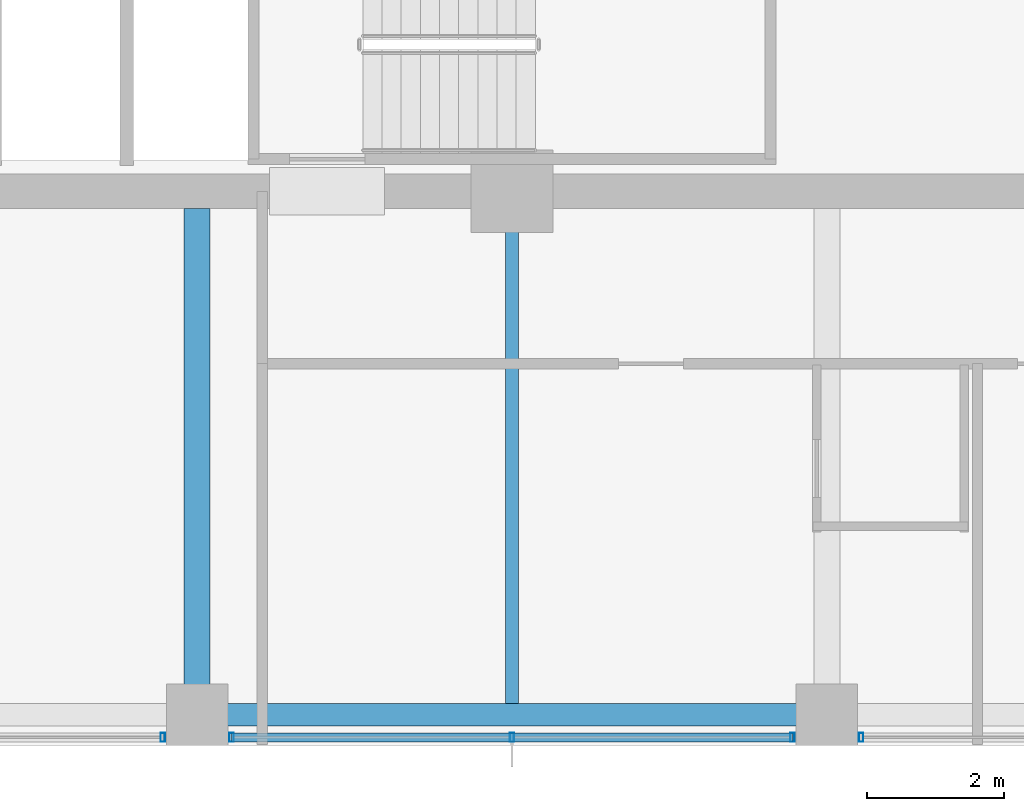
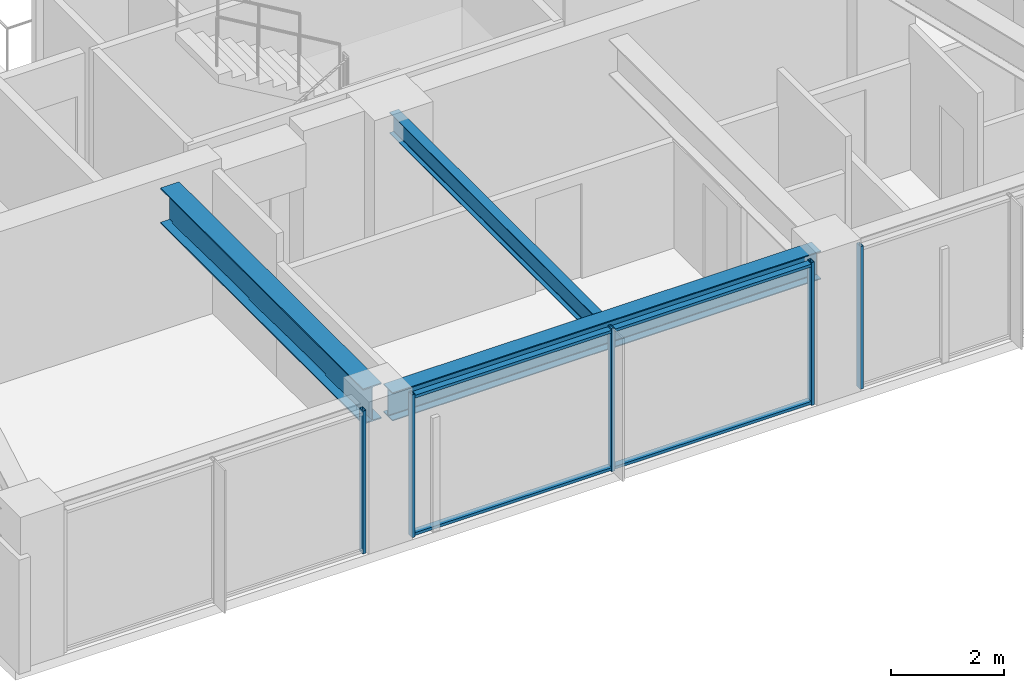
# One storey, part 6 of 32: 7 members, 3 beams, 3 elements without a shape of their own.
"""IFC4 building model written with IfcOpenShell, lengths in metres."""

from ifc_helpers import new_model, si_unit, direction, frame, origin, origin_2d, place, context, subcontext, project, spatial, hollow_rectangle, i_section, extrude, material, material_profile, profile_set, type_object, element, aggregate, save


model = new_model("IFC4")

# Units and contexts
model_context = context("Model", 3, precision=1e-05, world=origin(), true_north=direction((0.0, 1.0)))
body_context = subcontext(model_context, "Body", "Model", "MODEL_VIEW")
ifc_project = project(units=[si_unit("LENGTHUNIT", "METRE"), si_unit("AREAUNIT", "SQUARE_METRE"), si_unit("VOLUMEUNIT", "CUBIC_METRE"), si_unit("PLANEANGLEUNIT", "RADIAN"), si_unit("MASSUNIT", "GRAM", prefix="KILO")], contexts=[model_context])

# Site, building, storey
site_placement = place(None, origin())
site = spatial("IfcSite", under=ifc_project, at=site_placement, CompositionType="ELEMENT")
building_placement = place(site_placement, origin())
building = spatial("IfcBuilding", under=site, at=building_placement, Name="Kolvaren Belvedere", CompositionType="ELEMENT")
storey_placement = place(building_placement, frame((0.0, 0.0, 141.5)))
storey = spatial("IfcBuildingStorey", under=building, at=storey_placement, Name="L41", CompositionType="ELEMENT", Elevation=141.5)

# Beams
ifc_material_1 = material(Name="Structural steel ASTM A992 Grade 50", Category="steel")
ifc_material_profile_1 = material_profile(ifc_material_1, i_section(OverallWidth=0.381103515625, OverallDepth=0.77294921875, WebThickness=0.0166015625, FlangeThickness=0.027099609375, FilletRadius=0.02392578125, at=origin_2d()), Name="W30X173")
ifc_profile_set_1 = profile_set([ifc_material_profile_1], Name="Structural steel ASTM A992 Grade 50")
beam_type_1 = type_object("IfcBeamType", Name="BM-GIRD-W30X173", PredefinedType="BEAM", material=ifc_profile_set_1)
beam_1_placement = place(storey_placement, frame((-4.60009765625, -10.14990234375, 2.71337890625), z_axis=(0.0, -1.0, 0.0), x_axis=(1.0, 0.0, 0.0)))
element("IfcBeam", 1, at=beam_1_placement, inside=storey, type_object=beam_type_1, Name="L41 South Radial Girder M", PredefinedType="BEAM", context=body_context, shape_type="SweptSolid", body=[
    extrude(i_section(OverallWidth=0.381103515625, OverallDepth=0.77294921875, WebThickness=0.0166015625, FlangeThickness=0.027099609375, FilletRadius=0.02392578125, at=origin_2d()), origin(), (0.0, 0.0, 1.0), 7.197509765625),
])
ifc_material_2 = material(Name="Structural steel ASTM A992 Grade 50", Category="steel")
ifc_material_profile_2 = material_profile(ifc_material_2, i_section(OverallWidth=0.19091796875, OverallDepth=0.4599609375, WebThickness=0.010009765625, FlangeThickness=0.01611328125, FilletRadius=0.014892578125, at=origin_2d()), Name="W18X55")
ifc_profile_set_2 = profile_set([ifc_material_profile_2], Name="Structural steel ASTM A992 Grade 50")
beam_type_2 = type_object("IfcBeamType", Name="BM-JOIST-W18X55", PredefinedType="BEAM", material=ifc_profile_set_2)
beam_2_placement = place(storey_placement, frame((0.0, -10.14990234375, 2.8701171875), z_axis=(0.0, -1.0, 0.0), x_axis=(1.0, 0.0, 0.0)))
element("IfcBeam", 2, at=beam_2_placement, inside=storey, type_object=beam_type_2, Name="L41 South Centre Floor Beam", PredefinedType="BEAM", context=body_context, shape_type="SweptSolid", body=[
    extrude(i_section(OverallWidth=0.19091796875, OverallDepth=0.4599609375, WebThickness=0.010009765625, FlangeThickness=0.01611328125, FilletRadius=0.014892578125, at=origin_2d()), origin(), (0.0, 0.0, 1.0), 7.237548828125),
])
ifc_material_3 = material(Name="Structural steel ASTM A992 Grade 50", Category="steel")
ifc_material_profile_3 = material_profile(ifc_material_3, i_section(OverallWidth=0.324951171875, OverallDepth=0.615966796875, WebThickness=0.013916015625, FlangeThickness=0.021484375, FilletRadius=0.02001953125, at=origin_2d()), Name="W24X117")
ifc_profile_set_3 = profile_set([ifc_material_profile_3], Name="Structural steel ASTM A992 Grade 50")
beam_type_3 = type_object("IfcBeamType", Name="BM-SPAN-W24X117", PredefinedType="SPANDREL", material=ifc_profile_set_3)
beam_3_placement = place(storey_placement, frame((-4.3974609375, -17.550048828125, 2.7919921875), z_axis=(1.0, 0.0, 0.0), x_axis=(0.0, 1.0, 0.0)))
element("IfcBeam", 3, at=beam_3_placement, inside=storey, type_object=beam_type_3, Name="L41 Perimeter Spandrel S2-S3", PredefinedType="SPANDREL", context=body_context, shape_type="SweptSolid", body=[
    extrude(i_section(OverallWidth=0.324951171875, OverallDepth=0.615966796875, WebThickness=0.013916015625, FlangeThickness=0.021484375, FilletRadius=0.02001953125, at=origin_2d()), origin(), (0.0, 0.0, 1.0), 8.794921875),
])

# Curtain wall, member
ifc_material_4 = material(Name="Anodised pale-metal aluminium AA 6063-T6", Category="aluminium")
curtain_wall_type = type_object("IfcCurtainWallType", Name="CW-Z3-WAIST", PredefinedType="NOTDEFINED", material=ifc_material_4)
curtain_wall_1_placement = place(storey_placement, origin())
curtain_wall_1 = element("IfcCurtainWall", 4, at=curtain_wall_1_placement, inside=storey, type_object=curtain_wall_type, Name="L41 Unitised Curtain Wall FCW-L41-S-B1", PredefinedType="NOTDEFINED")
ifc_material_5 = material(Name="Anodised pale-metal aluminium AA 6063-T6", Category="aluminium")
ifc_material_profile_4 = material_profile(ifc_material_5, hollow_rectangle(XDim=0.06494140625, YDim=0.1298828125, WallThickness=0.00390625, at=origin_2d()), Name="ALU-MUL-130X65")
ifc_profile_set_4 = profile_set([ifc_material_profile_4], Name="Anodised pale-metal aluminium AA 6063-T6")
member_type_1 = type_object("IfcMemberType", Name="CW-MUL-130", PredefinedType="MULLION", material=ifc_profile_set_4)
member_1_placement = place(storey_placement, frame((5.1025390625, -17.8798828125, 0.0), z_axis=(0.0, 0.0, 1.0), x_axis=(1.0, 0.0, 0.0)))
member_1 = element("IfcMember", 5, at=member_1_placement, type_object=member_type_1, Name="FCW-L41-S-B1 Unitised Mullion 3", PredefinedType="MULLION", context=body_context, shape_type="SweptSolid", body=[
    extrude(hollow_rectangle(XDim=0.06494140625, YDim=0.1298828125, WallThickness=0.00390625, at=origin_2d()), origin(), (0.0, 0.0, 1.0), 3.10009765625),
])
aggregate(curtain_wall_1, [member_1])

# Curtain wall, members
curtain_wall_2_placement = place(storey_placement, origin())
curtain_wall_2 = element("IfcCurtainWall", 6, at=curtain_wall_2_placement, inside=storey, type_object=curtain_wall_type, Name="L41 Unitised Curtain Wall FCW-L41-S-B2", PredefinedType="NOTDEFINED")
member_2_placement = place(storey_placement, frame((4.097412109375, -17.8798828125, 0.0), z_axis=(0.0, 0.0, 1.0), x_axis=(1.0, 0.0, 0.0)))
member_2 = element("IfcMember", 7, at=member_2_placement, type_object=member_type_1, Name="FCW-L41-S-B2 Unitised Mullion 1", PredefinedType="MULLION", context=body_context, shape_type="SweptSolid", body=[
    extrude(hollow_rectangle(XDim=0.06494140625, YDim=0.1298828125, WallThickness=0.00390625, at=origin_2d()), origin(), (0.0, 0.0, 1.0), 3.10009765625),
])
member_3_placement = place(storey_placement, frame((0.0, -17.8798828125, 0.0), z_axis=(0.0, 0.0, 1.0), x_axis=(1.0, 0.0, 0.0)))
member_3 = element("IfcMember", 8, at=member_3_placement, type_object=member_type_1, Name="FCW-L41-S-B2 Unitised Mullion 2", PredefinedType="MULLION", context=body_context, shape_type="SweptSolid", body=[
    extrude(hollow_rectangle(XDim=0.06494140625, YDim=0.1298828125, WallThickness=0.00390625, at=origin_2d()), origin(), (0.0, 0.0, 1.0), 3.10009765625),
])
member_4_placement = place(storey_placement, frame((-4.097412109375, -17.8798828125, 0.0), z_axis=(0.0, 0.0, 1.0), x_axis=(1.0, 0.0, 0.0)))
member_4 = element("IfcMember", 9, at=member_4_placement, type_object=member_type_1, Name="FCW-L41-S-B2 Unitised Mullion 3", PredefinedType="MULLION", context=body_context, shape_type="SweptSolid", body=[
    extrude(hollow_rectangle(XDim=0.06494140625, YDim=0.1298828125, WallThickness=0.00390625, at=origin_2d()), origin(), (0.0, 0.0, 1.0), 3.10009765625),
])

# Curtain wall, member
curtain_wall_3_placement = place(storey_placement, origin())
curtain_wall_3 = element("IfcCurtainWall", 10, at=curtain_wall_3_placement, inside=storey, type_object=curtain_wall_type, Name="L41 Unitised Curtain Wall FCW-L41-S-B3", PredefinedType="NOTDEFINED")
member_5_placement = place(storey_placement, frame((-5.1025390625, -17.8798828125, 0.0), z_axis=(0.0, 0.0, 1.0), x_axis=(1.0, 0.0, 0.0)))
member_5 = element("IfcMember", 11, at=member_5_placement, type_object=member_type_1, Name="FCW-L41-S-B3 Unitised Mullion 1", PredefinedType="MULLION", context=body_context, shape_type="SweptSolid", body=[
    extrude(hollow_rectangle(XDim=0.06494140625, YDim=0.1298828125, WallThickness=0.00390625, at=origin_2d()), origin(), (0.0, 0.0, 1.0), 3.10009765625),
])
aggregate(curtain_wall_3, [member_5])

# Member
ifc_material_6 = material(Name="Anodised pale-metal aluminium AA 6063-T6", Category="aluminium")
ifc_material_profile_5 = material_profile(ifc_material_6, hollow_rectangle(XDim=0.06005859375, YDim=0.1298828125, WallThickness=0.00390625, at=origin_2d()), Name="ALU-TRN-130X60")
ifc_profile_set_5 = profile_set([ifc_material_profile_5], Name="Anodised pale-metal aluminium AA 6063-T6")
member_type_2 = type_object("IfcMemberType", Name="CW-TRN-130", PredefinedType="USERDEFINED", material=ifc_profile_set_5)
member_6_placement = place(storey_placement, frame((4.097412109375, -17.8798828125, 0.06005859375), z_axis=(-1.0, 0.0, 0.0), x_axis=(0.0, 0.0, 1.0)))
member_6 = element("IfcMember", 12, at=member_6_placement, type_object=member_type_2, Name="FCW-L41-S-B2 Sill Transom", ObjectType="TRANSOM", PredefinedType="USERDEFINED", context=body_context, shape_type="SweptSolid", body=[
    extrude(hollow_rectangle(XDim=0.06005859375, YDim=0.1298828125, WallThickness=0.00390625, at=origin_2d()), origin(), (0.0, 0.0, 1.0), 8.19482421875),
])

member_7_placement = place(storey_placement, frame((4.097412109375, -17.8798828125, 3.0400390625), z_axis=(-1.0, 0.0, 0.0), x_axis=(0.0, 0.0, 1.0)))
member_7 = element("IfcMember", 13, at=member_7_placement, type_object=member_type_2, Name="FCW-L41-S-B2 Head Transom", ObjectType="TRANSOM", PredefinedType="USERDEFINED", context=body_context, shape_type="SweptSolid", body=[
    extrude(hollow_rectangle(XDim=0.06005859375, YDim=0.1298828125, WallThickness=0.00390625, at=origin_2d()), origin(), (0.0, 0.0, 1.0), 8.19482421875),
])

aggregate(curtain_wall_2, [member_2, member_3, member_4, member_6, member_7])

save(model, "model.ifc")
